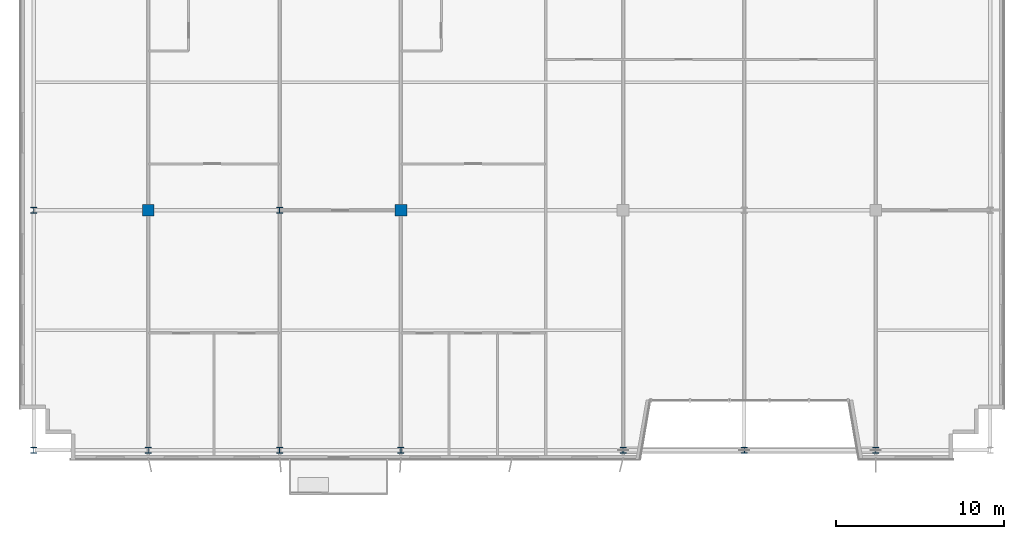
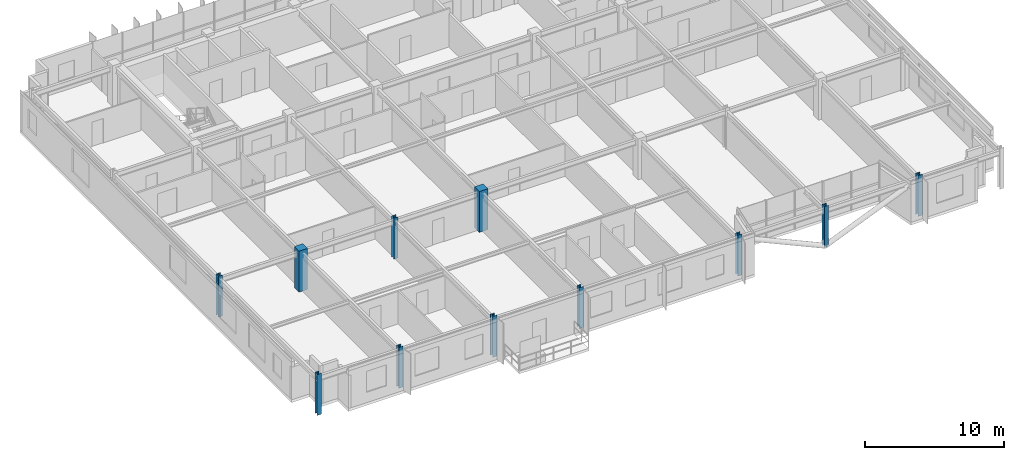
# One storey, part 1 of 27: 11 columns.
"""IFC4 building model written with IfcOpenShell, lengths in metres."""

from ifc_helpers import new_model, si_unit, direction, frame, origin, origin_2d, place, context, subcontext, project, spatial, rectangle, i_section, extrude, source, transform, mapped, material, material_profile, profile_set, type_object, element, save


model = new_model("IFC4")

# Units and contexts
model_context = context("Model", 3, precision=1e-05, world=origin(), true_north=direction((0.0, 1.0)))
body_context = subcontext(model_context, "Body", "Model", "MODEL_VIEW")
ifc_project = project(units=[si_unit("LENGTHUNIT", "METRE"), si_unit("AREAUNIT", "SQUARE_METRE"), si_unit("VOLUMEUNIT", "CUBIC_METRE"), si_unit("PLANEANGLEUNIT", "RADIAN"), si_unit("MASSUNIT", "GRAM", prefix="KILO")], contexts=[model_context])

# Site, building, storey
site_placement = place(None, origin())
site = spatial("IfcSite", under=ifc_project, at=site_placement, CompositionType="ELEMENT")
building_placement = place(site_placement, origin())
building = spatial("IfcBuilding", under=site, at=building_placement, Name="Trelvane Seafront Commons", CompositionType="ELEMENT")
storey_placement = place(building_placement, frame((0.0, 0.0, 233.699951171875)))
storey = spatial("IfcBuildingStorey", under=building, at=storey_placement, Name="L61", CompositionType="ELEMENT", Elevation=233.699951171875)

# Columns
ifc_material_1 = material(Name="Concrete C50/60", Category="concrete")
ifc_material_profile_1 = material_profile(ifc_material_1, rectangle(XDim=0.699951171875, YDim=0.699951171875, at=origin_2d()), Name="RC-700x700")
ifc_profile_set_1 = profile_set([ifc_material_profile_1], Name="Concrete C50/60")
column_type_1 = type_object("IfcColumnType", Name="STR-COL-RC700", PredefinedType="COLUMN", material=ifc_profile_set_1)
shared_shape_1 = source(origin(), body_context, "Body", "SweptSolid", [
    extrude(rectangle(XDim=0.699951171875, YDim=0.699951171875, at=origin_2d()), origin(), (0.0, 0.0, 1.0), 3.60009765625),
])
for number, where, z_axis, x_axis, name in (
    (1, (15.60009765625, 18.199951171875, 0.0), (0.0, 0.0, 1.0), (1.0, 0.0, 0.0), "L61 Column TC-M15.6"),
    (2, (30.60009765625, 18.199951171875, 0.0), (0.0, 0.0, 1.0), (1.0, 0.0, 0.0), "L61 Column TC-M30.6"),
):
    element("IfcColumn", number, at=place(storey_placement, frame(where, z_axis=z_axis, x_axis=x_axis)), inside=storey, type_object=column_type_1, Name=name, PredefinedType="COLUMN", context=body_context, shape_type="MappedRepresentation", body=[
        mapped(shared_shape_1, transform((0.0, 0.0, 0.0), x_axis=(1.0, 0.0, 0.0), y_axis=(0.0, 1.0, 0.0), z_axis=(0.0, 0.0, 1.0), scale=1.0)),
    ])
ifc_material_2 = material(Name="Steel SM355 (S355)", Category="steel")
ifc_material_profile_2 = material_profile(ifc_material_2, i_section(OverallWidth=0.35009765625, OverallDepth=0.35009765625, WebThickness=0.01806640625, FlangeThickness=0.028076171875, at=origin_2d()), Name="HD-350x350x18x28")
ifc_profile_set_2 = profile_set([ifc_material_profile_2], Name="Steel SM355 (S355)")
column_type_2 = type_object("IfcColumnType", Name="STR-COL-HD350", PredefinedType="COLUMN", material=ifc_profile_set_2)
shared_shape_2 = source(origin(), body_context, "Body", "SweptSolid", [
    extrude(i_section(OverallWidth=0.35009765625, OverallDepth=0.35009765625, WebThickness=0.01806640625, FlangeThickness=0.028076171875, at=origin_2d()), origin(), (0.0, 0.0, 1.0), 3.60009765625),
])
for number, where, z_axis, x_axis, name in (
    (3, (8.800048828125, 3.949951171875, 0.0), (0.0, 0.0, 1.0), (1.0, 0.0, 0.0), "L61 Column TC-S8.8"),
    (4, (8.800048828125, 18.199951171875, 0.0), (0.0, 0.0, 1.0), (1.0, 0.0, 0.0), "L61 Column TC-M8.8"),
    (5, (15.60009765625, 3.949951171875, 0.0), (0.0, 0.0, 1.0), (1.0, 0.0, 0.0), "L61 Column TC-S15.6"),
    (6, (23.39990234375, 3.949951171875, 0.0), (0.0, 0.0, 1.0), (1.0, 0.0, 0.0), "L61 Column TC-S23.4"),
    (7, (23.39990234375, 18.199951171875, 0.0), (0.0, 0.0, 1.0), (1.0, 0.0, 0.0), "L61 Column TC-M23.4"),
    (8, (30.60009765625, 3.949951171875, 0.0), (0.0, 0.0, 1.0), (1.0, 0.0, 0.0), "L61 Column TC-S30.6"),
    (9, (43.800048828125, 3.949951171875, 0.0), (0.0, 0.0, 1.0), (1.0, 0.0, 0.0), "L61 Column TC-S43.8"),
    (10, (51.0, 3.949951171875, 0.0), (0.0, 0.0, 1.0), (1.0, 0.0, 0.0), "L61 Column TC-S51.0"),
    (11, (58.800048828125, 3.949951171875, 0.0), (0.0, 0.0, 1.0), (1.0, 0.0, 0.0), "L61 Column TC-S58.8"),
):
    element("IfcColumn", number, at=place(storey_placement, frame(where, z_axis=z_axis, x_axis=x_axis)), inside=storey, type_object=column_type_2, Name=name, PredefinedType="COLUMN", context=body_context, shape_type="MappedRepresentation", body=[
        mapped(shared_shape_2, transform((0.0, 0.0, 0.0), x_axis=(1.0, 0.0, 0.0), y_axis=(0.0, 1.0, 0.0), z_axis=(0.0, 0.0, 1.0), scale=1.0)),
    ])

save(model, "model.ifc")
